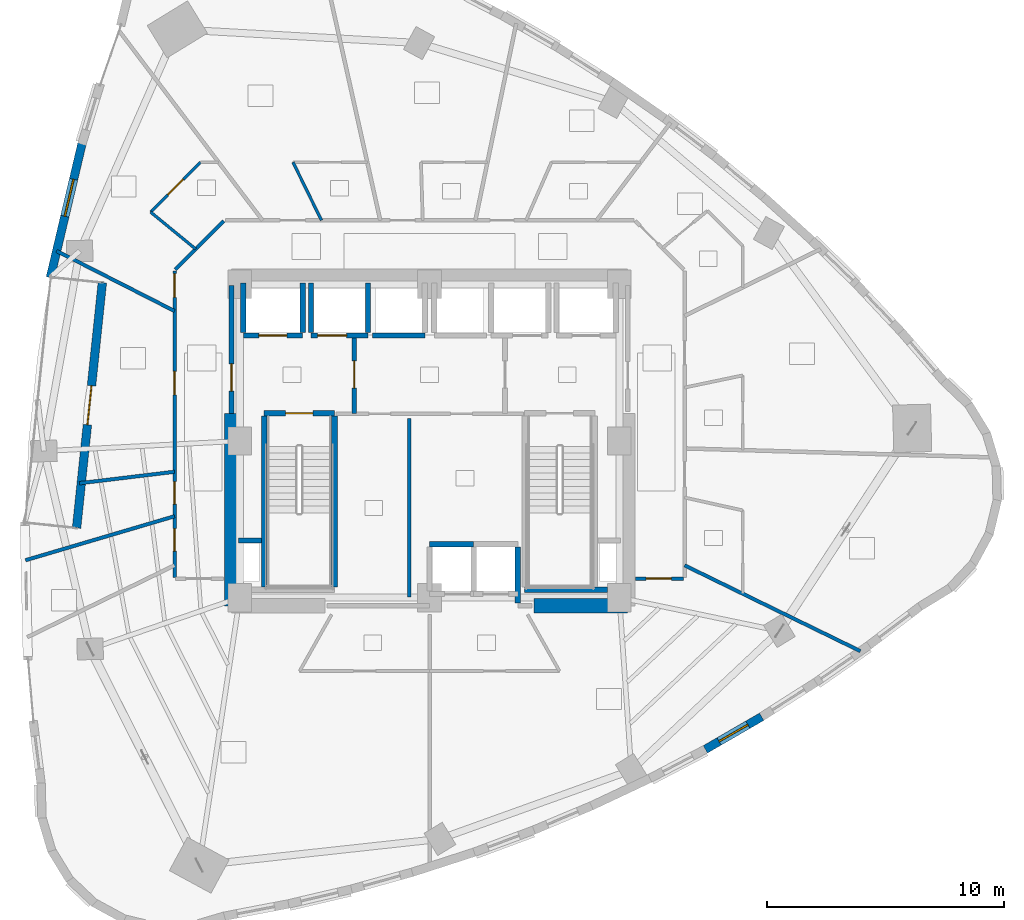
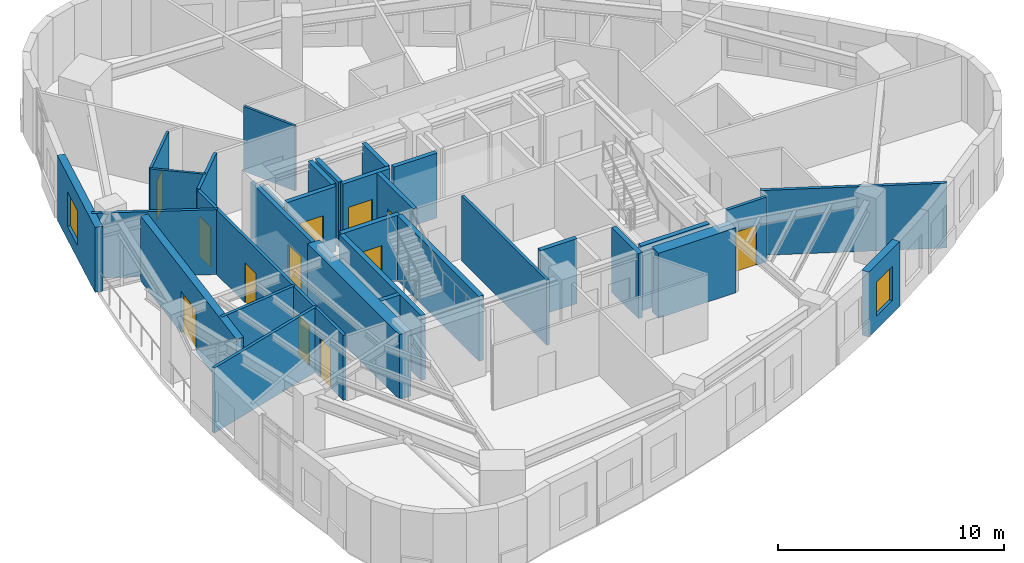
# One storey, part 10 of 16: 32 walls, 12 doors, 2 windows, 14 openings.
"""IFC4 building model written with IfcOpenShell, lengths in metres."""

from ifc_helpers import new_model, si_unit, direction, frame, frame_2d, origin, place, context, subcontext, project, spatial, rectangle, extrude, material, layer, layer_set, type_object, element, fill, save


model = new_model("IFC4")

# Units and contexts
model_context = context("Model", 3, precision=1e-05, world=origin(), true_north=direction((0.0, 1.0)))
body_context = subcontext(model_context, "Body", "Model", "MODEL_VIEW")
ifc_project = project(units=[si_unit("LENGTHUNIT", "METRE"), si_unit("AREAUNIT", "SQUARE_METRE"), si_unit("VOLUMEUNIT", "CUBIC_METRE"), si_unit("PLANEANGLEUNIT", "RADIAN"), si_unit("MASSUNIT", "GRAM", prefix="KILO")], contexts=[model_context])

# Site, building, storey
site_placement = place(None, origin())
site = spatial("IfcSite", under=ifc_project, at=site_placement, CompositionType="ELEMENT")
building_placement = place(site_placement, origin())
building = spatial("IfcBuilding", under=site, at=building_placement, Name="Ndelora Gate Hotel", CompositionType="ELEMENT")
storey_placement = place(building_placement, frame((0.0, 0.0, 97.25)))
storey = spatial("IfcBuildingStorey", under=building, at=storey_placement, Name="L23", CompositionType="ELEMENT", Elevation=97.25)

# Wall, opening, door
ifc_material_1 = material(Name="Clay Brick Masonry", Category="masonry")
ifc_layer_1 = layer(ifc_material_1, 0.360107421875)
ifc_layer_set_1 = layer_set([ifc_layer_1], Name="Clay Brick Masonry")
wall_type_1 = type_object("IfcWallType", Name="WL-BRICK-360", PredefinedType="SOLIDWALL", material=ifc_layer_set_1)
wall_1_placement = place(storey_placement, frame((-14.880126953125, -3.664794921875, 0.0), z_axis=(0.0, 0.0, 1.0), x_axis=(0.104508820017, 0.994523959761, 0.0)))
wall_1 = element("IfcWall", 1, at=wall_1_placement, inside=storey, type_object=wall_type_1, Name="L23 Sky-Garden Loggia Rear Brick Wall", PredefinedType="SOLIDWALL", context=body_context, shape_type="SweptSolid", body=[
    extrude(rectangle(XDim=10.400146484375, YDim=0.360107421875, at=frame_2d((5.2001953125, 0.0))), origin(), (0.0, 0.0, 1.0), 3.5),
])
opening_1_placement = place(wall_1_placement, frame((4.375, 0.0, 0.0)))
opening_1 = element("IfcOpeningElement", 2, at=opening_1_placement, cuts=wall_1, Name="Opening TD1", PredefinedType="OPENING", context=body_context, shape_type="SweptSolid", body=[
    extrude(rectangle(XDim=1.64990234375, YDim=2.25, at=frame_2d((0.824951171875, 1.125))), frame((0.0, 0.18994140625, 0.0), z_axis=(0.0, -1.0, 0.0), x_axis=(1.0, 0.0, 0.0)), (0.0, 0.0, 1.0), 0.380126953125),
])
ifc_material_2 = material(Name="Architectural Bronze Glazed Door", Category="metal")
door_type_1 = type_object("IfcDoorType", Name="DR-TER-1650", OperationType="DOUBLE_DOOR_SINGLE_SWING", PredefinedType="DOOR", material=ifc_material_2)
door_1_placement = place(opening_1_placement, origin())
door_1 = element("IfcDoor", 3, at=door_1_placement, inside=storey, type_object=door_type_1, Name="L23 Sky-Garden Terrace Double Door TD1", OperationType="DOUBLE_DOOR_SINGLE_SWING", OverallHeight=2.25, OverallWidth=1.64990234375, PredefinedType="DOOR", context=body_context, shape_type="SweptSolid", body=[
    extrude(rectangle(XDim=1.64990234375, YDim=2.25, at=frame_2d((0.824951171875, 1.125))), frame((0.0, 0.02490234375, 0.0), z_axis=(0.0, -1.0, 0.0), x_axis=(1.0, 0.0, 0.0)), (0.0, 0.0, 1.0), 0.050048828125),
])
fill(opening_1, door_1)

# Wall, opening, window
wall_2_placement = place(storey_placement, frame((-15.98681640625, 6.884033203125, 0.0), z_axis=(0.0, 0.0, 1.0), x_axis=(0.229945366281, 0.973203539105, 0.0)))
wall_2 = element("IfcWall", 4, at=wall_2_placement, inside=storey, type_object=wall_type_1, Name="L23 Tower Brick Pier-and-Spandrel Wall TWR-11", PredefinedType="SOLIDWALL", context=body_context, shape_type="SweptSolid", body=[
    extrude(rectangle(XDim=5.826904296875, YDim=0.360107421875, at=frame_2d((2.91357421875, 0.0))), origin(), (0.0, 0.0, 1.0), 3.5),
])
opening_2_placement = place(wall_2_placement, frame((2.659912109375, 0.0, 0.719970703125)))
opening_2 = element("IfcOpeningElement", 5, at=opening_2_placement, cuts=wall_2, Name="Opening W01", PredefinedType="OPENING", context=body_context, shape_type="SweptSolid", body=[
    extrude(rectangle(XDim=1.60009765625, YDim=1.8798828125, at=frame_2d((0.800048828125, 0.93994140625))), frame((0.0, 0.18994140625, 0.0), z_axis=(0.0, -1.0, 0.0), x_axis=(1.0, 0.0, 0.0)), (0.0, 0.0, 1.0), 0.380126953125),
])
ifc_material_3 = material(Name="Insulated Low-E Double Glazing in Bronze Aluminium Frame", Category="aluminium")
window_type_1 = type_object("IfcWindowType", Name="WN-DEEP-1600", PartitioningType="SINGLE_PANEL", PredefinedType="WINDOW", material=ifc_material_3)
window_1_placement = place(opening_2_placement, origin())
window_1 = element("IfcWindow", 6, at=window_1_placement, inside=storey, type_object=window_type_1, Name="L23 Deep-Set Brick-Pier Window W01", OverallHeight=1.8798828125, OverallWidth=1.60009765625, PartitioningType="SINGLE_PANEL", PredefinedType="WINDOW", context=body_context, shape_type="SweptSolid", body=[
    extrude(rectangle(XDim=1.60009765625, YDim=1.8798828125, at=frame_2d((0.800048828125, 0.93994140625))), frame((0.0, 0.030029296875, 0.0), z_axis=(0.0, -1.0, 0.0), x_axis=(1.0, 0.0, 0.0)), (0.0, 0.0, 1.0), 0.06005859375),
])
fill(opening_2, window_1)

wall_3_placement = place(storey_placement, frame((14.00048828125, -11.62548828125, 0.0), z_axis=(0.0, 0.0, 1.0), x_axis=(-0.86542019342, -0.501046793044, 0.0)))
wall_3 = element("IfcWall", 7, at=wall_3_placement, inside=storey, type_object=wall_type_1, Name="L23 Tower Brick Pier-and-Spandrel Wall TWR-35", PredefinedType="SOLIDWALL", context=body_context, shape_type="SweptSolid", body=[
    extrude(rectangle(XDim=2.74365234375, YDim=0.360107421875, at=frame_2d((1.371826171875, 0.0))), origin(), (0.0, 0.0, 1.0), 3.5),
])
opening_3_placement = place(wall_3_placement, frame((0.672119140625, 0.0, 0.719970703125)))
opening_3 = element("IfcOpeningElement", 8, at=opening_3_placement, cuts=wall_3, Name="Opening W02", PredefinedType="OPENING", context=body_context, shape_type="SweptSolid", body=[
    extrude(rectangle(XDim=1.39990234375, YDim=1.840087890625, at=frame_2d((0.699951171875, 0.919921875))), frame((0.0, 0.18994140625, 0.0), z_axis=(0.0, -1.0, 0.0), x_axis=(1.0, 0.0, 0.0)), (0.0, 0.0, 1.0), 0.380126953125),
])
window_type_2 = type_object("IfcWindowType", Name="WN-DEEP-1400", PartitioningType="SINGLE_PANEL", PredefinedType="WINDOW", material=ifc_material_3)
window_2_placement = place(opening_3_placement, origin())
window_2 = element("IfcWindow", 9, at=window_2_placement, inside=storey, type_object=window_type_2, Name="L23 Deep-Set Brick-Pier Window W02", OverallHeight=1.840087890625, OverallWidth=1.39990234375, PartitioningType="SINGLE_PANEL", PredefinedType="WINDOW", context=body_context, shape_type="SweptSolid", body=[
    extrude(rectangle(XDim=1.39990234375, YDim=1.840087890625, at=frame_2d((0.699951171875, 0.919921875))), frame((0.0, 0.030029296875, 0.0), z_axis=(0.0, -1.0, 0.0), x_axis=(1.0, 0.0, 0.0)), (0.0, 0.0, 1.0), 0.06005859375),
])
fill(opening_3, window_2)

# Walls
ifc_material_4 = material(Name="Concrete C60/75", Category="concrete")
ifc_layer_2 = layer(ifc_material_4, 0.60009765625)
ifc_layer_set_2 = layer_set([ifc_layer_2], Name="Concrete C60/75")
wall_type_2 = type_object("IfcWallType", Name="WL-CORE-600", PredefinedType="SHEAR", material=ifc_layer_set_2)
wall_4_placement = place(storey_placement, frame((4.39990234375, -6.949951171875, 0.0), z_axis=(0.0, 0.0, 1.0), x_axis=(1.0, 0.0, 0.0)))
element("IfcWall", 10, at=wall_4_placement, inside=storey, type_object=wall_type_2, Name="L23 Core Shear Wall S-E", PredefinedType="SHEAR", context=body_context, shape_type="SweptSolid", body=[
    extrude(rectangle(XDim=3.9501953125, YDim=0.60009765625, at=frame_2d((1.97509765625, 0.0))), origin(), (0.0, 0.0, 1.0), 3.5),
])
wall_5_placement = place(storey_placement, frame((-8.35009765625, -6.949951171875, 0.0), z_axis=(0.0, 0.0, 1.0), x_axis=(0.0, 1.0, 0.0)))
element("IfcWall", 11, at=wall_5_placement, inside=storey, type_object=wall_type_2, Name="L23 Core Shear Wall W", PredefinedType="SHEAR", context=body_context, shape_type="SweptSolid", body=[
    extrude(rectangle(XDim=8.099853515625, YDim=0.60009765625, at=frame_2d((4.0498046875, 0.0))), origin(), (0.0, 0.0, 1.0), 3.5),
])

# Wall, opening, door
ifc_material_5 = material(Name="Concrete C40/50", Category="concrete")
ifc_layer_3 = layer(ifc_material_5, 0.199951171875)
ifc_layer_set_3 = layer_set([ifc_layer_3], Name="Concrete C40/50")
wall_type_3 = type_object("IfcWallType", Name="WL-FIRE-200", PredefinedType="PARTITIONING", material=ifc_layer_set_3)
wall_6_placement = place(storey_placement, frame((-3.179931640625, 1.14990234375, 0.0), z_axis=(0.0, 0.0, 1.0), x_axis=(0.0, 1.0, 0.0)))
wall_6 = element("IfcWall", 12, at=wall_6_placement, inside=storey, type_object=wall_type_3, Name="L23 Interior Wall IW-2", PredefinedType="PARTITIONING", context=body_context, shape_type="SweptSolid", body=[
    extrude(rectangle(XDim=3.300048828125, YDim=0.199951171875, at=frame_2d((1.64990234375, 0.0))), origin(), (0.0, 0.0, 1.0), 3.5),
])
opening_4_placement = place(wall_6_placement, frame((1.080078125, 0.0, 0.0)))
opening_4 = element("IfcOpeningElement", 13, at=opening_4_placement, cuts=wall_6, Name="Opening FD1", PredefinedType="OPENING", context=body_context, shape_type="SweptSolid", body=[
    extrude(rectangle(XDim=1.14990234375, YDim=2.14990234375, at=frame_2d((0.574951171875, 1.074951171875))), frame((0.0, 0.10986328125, 0.0), z_axis=(0.0, -1.0, 0.0), x_axis=(1.0, 0.0, 0.0)), (0.0, 0.0, 1.0), 0.219970703125),
])
ifc_material_6 = material(Name="Fire-Rated Timber-Veneer Steel Core", Category="steel")
door_type_2 = type_object("IfcDoorType", Name="DR-FD60", OperationType="SINGLE_SWING_LEFT", PredefinedType="DOOR", material=ifc_material_6)
door_2_placement = place(opening_4_placement, origin())
door_2 = element("IfcDoor", 14, at=door_2_placement, inside=storey, type_object=door_type_2, Name="L23 Firefighting Lobby West Door", OperationType="SINGLE_SWING_RIGHT", OverallHeight=2.14990234375, OverallWidth=1.14990234375, PredefinedType="DOOR", context=body_context, shape_type="SweptSolid", body=[
    extrude(rectangle(XDim=1.14990234375, YDim=2.14990234375, at=frame_2d((0.574951171875, 1.074951171875))), frame((0.0, 0.02490234375, 0.0), z_axis=(0.0, -1.0, 0.0), x_axis=(1.0, 0.0, 0.0)), (0.0, 0.0, 1.0), 0.050048828125),
])
fill(opening_4, door_2)

wall_7_placement = place(storey_placement, frame((-8.35009765625, 1.14990234375, 0.0), z_axis=(0.0, 0.0, 1.0), x_axis=(0.0, 1.0, 0.0)))
wall_7 = element("IfcWall", 15, at=wall_7_placement, inside=storey, type_object=wall_type_3, Name="L23 Interior Wall IW-2", PredefinedType="PARTITIONING", context=body_context, shape_type="SweptSolid", body=[
    extrude(rectangle(XDim=5.400146484375, YDim=0.199951171875, at=frame_2d((2.7001953125, 0.0))), origin(), (0.0, 0.0, 1.0), 3.5),
])
opening_5_placement = place(wall_7_placement, frame((0.949951171875, 0.0, 0.0)))
opening_5 = element("IfcOpeningElement", 16, at=opening_5_placement, cuts=wall_7, Name="Opening FD1", PredefinedType="OPENING", context=body_context, shape_type="SweptSolid", body=[
    extrude(rectangle(XDim=1.14990234375, YDim=2.14990234375, at=frame_2d((0.574951171875, 1.074951171875))), frame((0.0, 0.10986328125, 0.0), z_axis=(0.0, -1.0, 0.0), x_axis=(1.0, 0.0, 0.0)), (0.0, 0.0, 1.0), 0.219970703125),
])
door_3_placement = place(opening_5_placement, origin())
door_3 = element("IfcDoor", 17, at=door_3_placement, inside=storey, type_object=door_type_2, Name="L23 Firefighting Lobby West Corridor Door", OperationType="SINGLE_SWING_LEFT", OverallHeight=2.14990234375, OverallWidth=1.14990234375, PredefinedType="DOOR", context=body_context, shape_type="SweptSolid", body=[
    extrude(rectangle(XDim=1.14990234375, YDim=2.14990234375, at=frame_2d((0.574951171875, 1.074951171875))), frame((0.0, 0.02490234375, 0.0), z_axis=(0.0, -1.0, 0.0), x_axis=(1.0, 0.0, 0.0)), (0.0, 0.0, 1.0), 0.050048828125),
])
fill(opening_5, door_3)

# Wall
ifc_material_7 = material(Name="Fire-Rated Gypsum Stud Partition", Category="gypsum")
ifc_layer_4 = layer(ifc_material_7, 0.14990234375)
ifc_layer_set_4 = layer_set([ifc_layer_4], Name="Fire-Rated Gypsum Stud Partition")
wall_type_4 = type_object("IfcWallType", Name="WL-PART-150", PredefinedType="PARTITIONING", material=ifc_layer_set_4)
wall_8_placement = place(storey_placement, frame((-0.85009765625, -6.580078125, 0.0), z_axis=(0.0, 0.0, 1.0), x_axis=(0.0, 1.0, 0.0)))
element("IfcWall", 18, at=wall_8_placement, inside=storey, type_object=wall_type_4, Name="L23 Interior Wall IW-5", PredefinedType="PARTITIONING", context=body_context, shape_type="SweptSolid", body=[
    extrude(rectangle(XDim=7.530029296875, YDim=0.14990234375, at=frame_2d((3.76513671875, 0.0))), origin(), (0.0, 0.0, 1.0), 3.5),
])

# Wall, opening, door
wall_9_placement = place(storey_placement, frame((10.7099609375, -5.800048828125, 0.0), z_axis=(0.0, 0.0, 1.0), x_axis=(-1.0, 0.0, 0.0)))
wall_9 = element("IfcWall", 19, at=wall_9_placement, inside=storey, type_object=wall_type_4, Name="L23 Interior Wall IW-5", PredefinedType="PARTITIONING", context=body_context, shape_type="SweptSolid", body=[
    extrude(rectangle(XDim=2.02001953125, YDim=0.14990234375, at=frame_2d((1.010009765625, 0.0))), origin(), (0.0, 0.0, 1.0), 3.5),
])
opening_6_placement = place(wall_9_placement, frame((0.52001953125, 0.0, 0.0)))
opening_6 = element("IfcOpeningElement", 20, at=opening_6_placement, cuts=wall_9, Name="Opening D07", PredefinedType="OPENING", context=body_context, shape_type="SweptSolid", body=[
    extrude(rectangle(XDim=1.06005859375, YDim=2.14990234375, at=frame_2d((0.530029296875, 1.074951171875))), frame((0.0, 0.0849609375, 0.0), z_axis=(0.0, -1.0, 0.0), x_axis=(1.0, 0.0, 0.0)), (0.0, 0.0, 1.0), 0.169921875),
])
ifc_material_8 = material(Name="Diplomatic Suite Acoustic Entrance Door", Category="wood")
door_type_3 = type_object("IfcDoorType", Name="DR-SUITE-1060", OperationType="SINGLE_SWING_LEFT", PredefinedType="DOOR", material=ifc_material_8)
door_4_placement = place(opening_6_placement, origin())
door_4 = element("IfcDoor", 21, at=door_4_placement, inside=storey, type_object=door_type_3, Name="L23 Club Twin Corner Suite 2602 Entrance Door", OperationType="SINGLE_SWING_RIGHT", OverallHeight=2.14990234375, OverallWidth=1.06005859375, PredefinedType="DOOR", context=body_context, shape_type="SweptSolid", body=[
    extrude(rectangle(XDim=1.06005859375, YDim=2.14990234375, at=frame_2d((0.530029296875, 1.074951171875))), frame((0.0, 0.02490234375, 0.0), z_axis=(0.0, -1.0, 0.0), x_axis=(1.0, 0.0, 0.0)), (0.0, 0.0, 1.0), 0.050048828125),
])
fill(opening_6, door_4)

# Wall
wall_10_placement = place(storey_placement, frame((-10.7216796875, 7.228271484375, 0.0), z_axis=(0.0, 0.0, 1.0), x_axis=(0.707106781187, 0.707106781187, 0.0)))
element("IfcWall", 22, at=wall_10_placement, inside=storey, type_object=wall_type_4, Name="L23 Interior Wall IW-5", PredefinedType="PARTITIONING", context=body_context, shape_type="SweptSolid", body=[
    extrude(rectangle(XDim=2.889892578125, YDim=0.14990234375, at=frame_2d((1.44482421875, 0.0))), origin(), (0.0, 0.0, 1.0), 3.5),
])

# Wall, openings, doors
wall_11_placement = place(storey_placement, frame((-10.75, -5.760009765625, 0.0), z_axis=(0.0, 0.0, 1.0), x_axis=(0.0, 1.0, 0.0)))
wall_11 = element("IfcWall", 23, at=wall_11_placement, inside=storey, type_object=wall_type_4, Name="L23 Interior Wall IW-5", PredefinedType="PARTITIONING", context=body_context, shape_type="SweptSolid", body=[
    extrude(rectangle(XDim=12.919921875, YDim=0.14990234375, at=frame_2d((6.4599609375, 0.0))), origin(), (0.0, 0.0, 1.0), 3.5),
])
opening_7_placement = place(wall_11_placement, frame((3.096435546875, 0.0, 0.0)))
opening_7 = element("IfcOpeningElement", 24, at=opening_7_placement, cuts=wall_11, Name="Opening D05", PredefinedType="OPENING", context=body_context, shape_type="SweptSolid", body=[
    extrude(rectangle(XDim=0.949951171875, YDim=2.10009765625, at=frame_2d((0.47509765625, 1.050048828125))), frame((0.0, 0.0849609375, 0.0), z_axis=(0.0, -1.0, 0.0), x_axis=(1.0, 0.0, 0.0)), (0.0, 0.0, 1.0), 0.169921875),
])
opening_8_placement = place(wall_11_placement, frame((1.1181640625, 0.0, 0.0)))
opening_8 = element("IfcOpeningElement", 25, at=opening_8_placement, cuts=wall_11, Name="Opening D05", PredefinedType="OPENING", context=body_context, shape_type="SweptSolid", body=[
    extrude(rectangle(XDim=0.949951171875, YDim=2.10009765625, at=frame_2d((0.47509765625, 1.050048828125))), frame((0.0, 0.0849609375, 0.0), z_axis=(0.0, -1.0, 0.0), x_axis=(1.0, 0.0, 0.0)), (0.0, 0.0, 1.0), 0.169921875),
])
opening_9_placement = place(wall_11_placement, frame((7.69921875, 0.0, 0.0)))
opening_9 = element("IfcOpeningElement", 26, at=opening_9_placement, cuts=wall_11, Name="Opening D01", PredefinedType="OPENING", context=body_context, shape_type="SweptSolid", body=[
    extrude(rectangle(XDim=1.0, YDim=2.14990234375, at=frame_2d((0.5, 1.074951171875))), frame((0.0, 0.0849609375, 0.0), z_axis=(0.0, -1.0, 0.0), x_axis=(1.0, 0.0, 0.0)), (0.0, 0.0, 1.0), 0.169921875),
])
opening_10_placement = place(wall_11_placement, frame((11.818603515625, 0.0, 0.0)))
opening_10 = element("IfcOpeningElement", 27, at=opening_10_placement, cuts=wall_11, Name="Opening D01", PredefinedType="OPENING", context=body_context, shape_type="SweptSolid", body=[
    extrude(rectangle(XDim=1.0, YDim=2.14990234375, at=frame_2d((0.5, 1.074951171875))), frame((0.0, 0.0849609375, 0.0), z_axis=(0.0, -1.0, 0.0), x_axis=(1.0, 0.0, 0.0)), (0.0, 0.0, 1.0), 0.169921875),
])
ifc_material_9 = material(Name="Accessible Restroom Wide-Clearance Door", Category="wood")
door_type_4 = type_object("IfcDoorType", Name="DR-ACC-950", OperationType="SINGLE_SWING_LEFT", PredefinedType="DOOR", material=ifc_material_9)
door_5_placement = place(opening_7_placement, origin())
door_5 = element("IfcDoor", 28, at=door_5_placement, inside=storey, type_object=door_type_4, Name="L23 Accessible WC Entrance Door", OperationType="SINGLE_SWING_RIGHT", OverallHeight=2.10009765625, OverallWidth=0.949951171875, PredefinedType="DOOR", context=body_context, shape_type="SweptSolid", body=[
    extrude(rectangle(XDim=0.949951171875, YDim=2.10009765625, at=frame_2d((0.47509765625, 1.050048828125))), frame((0.0, 0.02490234375, 0.0), z_axis=(0.0, -1.0, 0.0), x_axis=(1.0, 0.0, 0.0)), (0.0, 0.0, 1.0), 0.050048828125),
])
fill(opening_7, door_5)
door_6_placement = place(opening_8_placement, origin())
door_6 = element("IfcDoor", 29, at=door_6_placement, inside=storey, type_object=door_type_4, Name="L23 Female Public Restroom Entrance Door", OperationType="SINGLE_SWING_LEFT", OverallHeight=2.10009765625, OverallWidth=0.949951171875, PredefinedType="DOOR", context=body_context, shape_type="SweptSolid", body=[
    extrude(rectangle(XDim=0.949951171875, YDim=2.10009765625, at=frame_2d((0.47509765625, 1.050048828125))), frame((0.0, 0.02490234375, 0.0), z_axis=(0.0, -1.0, 0.0), x_axis=(1.0, 0.0, 0.0)), (0.0, 0.0, 1.0), 0.050048828125),
])
fill(opening_8, door_6)
ifc_material_10 = material(Name="Acoustic Hardwood Guest Entrance Door", Category="wood")
door_type_5 = type_object("IfcDoorType", Name="DR-COR-1000", OperationType="SINGLE_SWING_LEFT", PredefinedType="DOOR", material=ifc_material_10)
door_7_placement = place(opening_9_placement, origin())
door_7 = element("IfcDoor", 30, at=door_7_placement, inside=storey, type_object=door_type_5, Name="L23 Sky Garden Tea Dining Room Entrance Door", OperationType="SINGLE_SWING_LEFT", OverallHeight=2.14990234375, OverallWidth=1.0, PredefinedType="DOOR", context=body_context, shape_type="SweptSolid", body=[
    extrude(rectangle(XDim=1.0, YDim=2.14990234375, at=frame_2d((0.5, 1.074951171875))), frame((0.0, 0.02490234375, 0.0), z_axis=(0.0, -1.0, 0.0), x_axis=(1.0, 0.0, 0.0)), (0.0, 0.0, 1.0), 0.050048828125),
])
fill(opening_9, door_7)
door_8_placement = place(opening_10_placement, origin())
door_8 = element("IfcDoor", 31, at=door_8_placement, inside=storey, type_object=door_type_5, Name="L23 Club King Guest Room 2609 Entrance Door", OperationType="SINGLE_SWING_LEFT", OverallHeight=2.14990234375, OverallWidth=1.0, PredefinedType="DOOR", context=body_context, shape_type="SweptSolid", body=[
    extrude(rectangle(XDim=1.0, YDim=2.14990234375, at=frame_2d((0.5, 1.074951171875))), frame((0.0, 0.02490234375, 0.0), z_axis=(0.0, -1.0, 0.0), x_axis=(1.0, 0.0, 0.0)), (0.0, 0.0, 1.0), 0.050048828125),
])
fill(opening_10, door_8)

# Walls
wall_12_placement = place(storey_placement, frame((10.75, -5.2431640625, 0.0), z_axis=(0.0, 0.0, 1.0), x_axis=(0.898792044872, -0.4383752503, 0.0)))
element("IfcWall", 32, at=wall_12_placement, inside=storey, type_object=wall_type_4, Name="L23 Interior Wall IW-5", PredefinedType="PARTITIONING", context=body_context, shape_type="SweptSolid", body=[
    extrude(rectangle(XDim=8.251953125, YDim=0.14990234375, at=frame_2d((4.1259765625, 0.0))), origin(), (0.0, 0.0, 1.0), 3.5),
])
wall_13_placement = place(storey_placement, frame((-10.75, 5.478271484375, 0.0), z_axis=(0.0, 0.0, 1.0), x_axis=(-0.890978705021, 0.454045093796, 0.0)))
element("IfcWall", 33, at=wall_13_placement, inside=storey, type_object=wall_type_4, Name="L23 Interior Wall IW-5", PredefinedType="PARTITIONING", context=body_context, shape_type="SweptSolid", body=[
    extrude(rectangle(XDim=5.57861328125, YDim=0.14990234375, at=frame_2d((2.789306640625, 0.0))), origin(), (0.0, 0.0, 1.0), 3.5),
])
wall_14_placement = place(storey_placement, frame((-10.75, -1.2978515625, 0.0), z_axis=(0.0, 0.0, 1.0), x_axis=(-0.992792513818, -0.119845836422, 0.0)))
element("IfcWall", 34, at=wall_14_placement, inside=storey, type_object=wall_type_4, Name="L23 Interior Wall IW-5", PredefinedType="PARTITIONING", context=body_context, shape_type="SweptSolid", body=[
    extrude(rectangle(XDim=4.03955078125, YDim=0.14990234375, at=frame_2d((2.019775390625, 0.0))), origin(), (0.0, 0.0, 1.0), 3.5),
])
wall_15_placement = place(storey_placement, frame((-10.75, -3.172607421875, 0.0), z_axis=(0.0, 0.0, 1.0), x_axis=(-0.959115252186, -0.283015782288, 0.0)))
element("IfcWall", 35, at=wall_15_placement, inside=storey, type_object=wall_type_4, Name="L23 Interior Wall IW-5", PredefinedType="PARTITIONING", context=body_context, shape_type="SweptSolid", body=[
    extrude(rectangle(XDim=6.550048828125, YDim=0.14990234375, at=frame_2d((3.27490234375, 0.0))), origin(), (0.0, 0.0, 1.0), 3.5),
])
ifc_layer_5 = layer(ifc_material_5, 0.219970703125)
ifc_layer_set_5 = layer_set([ifc_layer_5], Name="Concrete C40/50")
wall_type_5 = type_object("IfcWallType", Name="WL-SHAFT-220", PredefinedType="PARTITIONING", material=ifc_layer_set_5)
wall_16_placement = place(storey_placement, frame((-8.050048828125, -4.199951171875, 0.0), z_axis=(0.0, 0.0, 1.0), x_axis=(1.0, 0.0, 0.0)))
element("IfcWall", 36, at=wall_16_placement, inside=storey, type_object=wall_type_5, Name="L23 Interior Wall IW-1", PredefinedType="PARTITIONING", context=body_context, shape_type="SweptSolid", body=[
    extrude(rectangle(XDim=0.9599609375, YDim=0.219970703125, at=frame_2d((0.47998046875, 0.0))), origin(), (0.0, 0.0, 1.0), 3.5),
])

# Wall, opening, door
wall_17_placement = place(storey_placement, frame((-7.85009765625, 4.449951171875, 0.0), z_axis=(0.0, 0.0, 1.0), x_axis=(1.0, 0.0, 0.0)))
wall_17 = element("IfcWall", 37, at=wall_17_placement, inside=storey, type_object=wall_type_5, Name="L23 Interior Wall IW-1", PredefinedType="PARTITIONING", context=body_context, shape_type="SweptSolid", body=[
    extrude(rectangle(XDim=2.5, YDim=0.219970703125, at=frame_2d((1.25, 0.0))), origin(), (0.0, 0.0, 1.0), 3.5),
])
opening_11_placement = place(wall_17_placement, frame((0.659912109375, 0.0, 0.0)))
opening_11 = element("IfcOpeningElement", 38, at=opening_11_placement, cuts=wall_17, Name="Opening LD5", PredefinedType="OPENING", context=body_context, shape_type="SweptSolid", body=[
    extrude(rectangle(XDim=1.179931640625, YDim=2.14990234375, at=frame_2d((0.58984375, 1.074951171875))), frame((0.0, 0.1201171875, 0.0), z_axis=(0.0, -1.0, 0.0), x_axis=(1.0, 0.0, 0.0)), (0.0, 0.0, 1.0), 0.239990234375),
])
ifc_material_11 = material(Name="Firefighting Lift Stainless Sliding Landing Door", Category="metal")
door_type_6 = type_object("IfcDoorType", Name="DR-LD5", OperationType="DOUBLE_DOOR_SLIDING", PredefinedType="DOOR", material=ifc_material_11)
door_9_placement = place(opening_11_placement, origin())
door_9 = element("IfcDoor", 39, at=door_9_placement, inside=storey, type_object=door_type_6, Name="L23 Lift Landing Sliding Door FFL1", OperationType="DOUBLE_DOOR_SLIDING", OverallHeight=2.14990234375, OverallWidth=1.179931640625, PredefinedType="DOOR", context=body_context, shape_type="SweptSolid", body=[
    extrude(rectangle(XDim=1.179931640625, YDim=2.14990234375, at=frame_2d((0.58984375, 1.074951171875))), frame((0.0, 0.02490234375, 0.0), z_axis=(0.0, -1.0, 0.0), x_axis=(1.0, 0.0, 0.0)), (0.0, 0.0, 1.0), 0.050048828125),
])
fill(opening_11, door_9)

# Walls
wall_18_placement = place(storey_placement, frame((-7.85009765625, 4.570068359375, 0.0), z_axis=(0.0, 0.0, 1.0), x_axis=(0.0, 1.0, 0.0)))
element("IfcWall", 40, at=wall_18_placement, inside=storey, type_object=wall_type_5, Name="L23 Interior Wall IW-1", PredefinedType="PARTITIONING", context=body_context, shape_type="SweptSolid", body=[
    extrude(rectangle(XDim=2.079833984375, YDim=0.219970703125, at=frame_2d((1.0400390625, 0.0))), origin(), (0.0, 0.0, 1.0), 3.1201171875),
])
wall_19_placement = place(storey_placement, frame((-5.35009765625, 4.570068359375, 0.0), z_axis=(0.0, 0.0, 1.0), x_axis=(0.0, 1.0, 0.0)))
element("IfcWall", 41, at=wall_19_placement, inside=storey, type_object=wall_type_5, Name="L23 Interior Wall IW-1", PredefinedType="PARTITIONING", context=body_context, shape_type="SweptSolid", body=[
    extrude(rectangle(XDim=2.079833984375, YDim=0.219970703125, at=frame_2d((1.0400390625, 0.0))), origin(), (0.0, 0.0, 1.0), 3.5),
])

# Wall, opening, door
wall_20_placement = place(storey_placement, frame((-5.0, 4.449951171875, 0.0), z_axis=(0.0, 0.0, 1.0), x_axis=(1.0, 0.0, 0.0)))
wall_20 = element("IfcWall", 42, at=wall_20_placement, inside=storey, type_object=wall_type_5, Name="L23 Interior Wall IW-1", PredefinedType="PARTITIONING", context=body_context, shape_type="SweptSolid", body=[
    extrude(rectangle(XDim=2.39990234375, YDim=0.219970703125, at=frame_2d((1.199951171875, 0.0))), origin(), (0.0, 0.0, 1.0), 3.5),
])
opening_12_placement = place(wall_20_placement, frame((0.280029296875, 0.0, 0.0)))
opening_12 = element("IfcOpeningElement", 43, at=opening_12_placement, cuts=wall_20, Name="Opening LD6", PredefinedType="OPENING", context=body_context, shape_type="SweptSolid", body=[
    extrude(rectangle(XDim=1.219970703125, YDim=2.14990234375, at=frame_2d((0.60986328125, 1.074951171875))), frame((0.0, 0.1201171875, 0.0), z_axis=(0.0, -1.0, 0.0), x_axis=(1.0, 0.0, 0.0)), (0.0, 0.0, 1.0), 0.239990234375),
])
ifc_material_12 = material(Name="Heavy-Duty Service Lift Sliding Landing Door", Category="wood")
door_type_7 = type_object("IfcDoorType", Name="DR-LD6", OperationType="DOUBLE_DOOR_SLIDING", PredefinedType="DOOR", material=ifc_material_12)
door_10_placement = place(opening_12_placement, origin())
door_10 = element("IfcDoor", 44, at=door_10_placement, inside=storey, type_object=door_type_7, Name="L23 Lift Landing Sliding Door SVL1", OperationType="DOUBLE_DOOR_SLIDING", OverallHeight=2.14990234375, OverallWidth=1.219970703125, PredefinedType="DOOR", context=body_context, shape_type="SweptSolid", body=[
    extrude(rectangle(XDim=1.219970703125, YDim=2.14990234375, at=frame_2d((0.60986328125, 1.074951171875))), frame((0.0, 0.02490234375, 0.0), z_axis=(0.0, -1.0, 0.0), x_axis=(1.0, 0.0, 0.0)), (0.0, 0.0, 1.0), 0.050048828125),
])
fill(opening_12, door_10)

# Walls
for number, where, z_axis, x_axis, name in (
    (45, (-5.0, 4.570068359375, 0.0), (0.0, 0.0, 1.0), (0.0, 1.0, 0.0), "L23 Interior Wall IW-1"),
    (46, (-2.60009765625, 4.570068359375, 0.0), (0.0, 0.0, 1.0), (0.0, 1.0, 0.0), "L23 Interior Wall IW-1"),
):
    element("IfcWall", number, at=place(storey_placement, frame(where, z_axis=z_axis, x_axis=x_axis)), inside=storey, type_object=wall_type_5, Name=name, PredefinedType="PARTITIONING", context=body_context, shape_type="SweptSolid", body=[
        extrude(rectangle(XDim=2.079833984375, YDim=0.219970703125, at=frame_2d((1.0400390625, 0.0))), origin(), (0.0, 0.0, 1.0), 3.5),
    ])
wall_21_placement = place(storey_placement, frame((0.0, -4.35009765625, 0.0), z_axis=(0.0, 0.0, 1.0), x_axis=(1.0, 0.0, 0.0)))
element("IfcWall", 47, at=wall_21_placement, inside=storey, type_object=wall_type_5, Name="L23 Interior Wall IW-1", PredefinedType="PARTITIONING", context=body_context, shape_type="SweptSolid", body=[
    extrude(rectangle(XDim=1.860107421875, YDim=0.219970703125, at=frame_2d((0.93017578125, 0.0))), origin(), (0.0, 0.0, 1.0), 3.5),
])
wall_22_placement = place(storey_placement, frame((3.719970703125, -6.830078125, 0.0), z_axis=(0.0, 0.0, 1.0), x_axis=(0.0, 1.0, 0.0)))
element("IfcWall", 48, at=wall_22_placement, inside=storey, type_object=wall_type_5, Name="L23 Interior Wall IW-1", PredefinedType="PARTITIONING", context=body_context, shape_type="SweptSolid", body=[
    extrude(rectangle(XDim=2.360107421875, YDim=0.219970703125, at=frame_2d((1.18017578125, 0.0))), origin(), (0.0, 0.0, 1.0), 3.5),
])
wall_23_placement = place(storey_placement, frame((-2.39990234375, 4.449951171875, 0.0), z_axis=(0.0, 0.0, 1.0), x_axis=(1.0, 0.0, 0.0)))
element("IfcWall", 49, at=wall_23_placement, inside=storey, type_object=wall_type_5, Name="L23 Interior Wall IW-1", PredefinedType="PARTITIONING", context=body_context, shape_type="SweptSolid", body=[
    extrude(rectangle(XDim=2.199951171875, YDim=0.219970703125, at=frame_2d((1.10009765625, 0.0))), origin(), (0.0, 0.0, 1.0), 3.5),
])
ifc_material_13 = material(Name="Concrete C50/60", Category="concrete")
ifc_layer_6 = layer(ifc_material_13, 0.239990234375)
ifc_layer_set_6 = layer_set([ifc_layer_6], Name="Concrete C50/60")
wall_type_6 = type_object("IfcWallType", Name="WL-STAIR-240", PredefinedType="SHEAR", material=ifc_layer_set_6)
for number, where, z_axis, x_axis, name in (
    (50, (-6.969970703125, -6.159912109375, 0.0), (0.0, 0.0, 1.0), (0.0, 1.0, 0.0), "L23 Stair Core Shear Wall SW-ST"),
    (51, (-4.010009765625, -6.159912109375, 0.0), (0.0, 0.0, 1.0), (0.0, 1.0, 0.0), "L23 Stair Core Shear Wall SW-ST"),
):
    element("IfcWall", number, at=place(storey_placement, frame(where, z_axis=z_axis, x_axis=x_axis)), inside=storey, type_object=wall_type_6, Name=name, PredefinedType="SHEAR", context=body_context, shape_type="SweptSolid", body=[
        extrude(rectangle(XDim=7.219970703125, YDim=0.239990234375, at=frame_2d((3.60986328125, 0.0))), origin(), (0.0, 0.0, 1.0), 3.5),
    ])

# Wall, opening, door
wall_24_placement = place(storey_placement, frame((-6.969970703125, 1.169921875, 0.0), z_axis=(0.0, 0.0, 1.0), x_axis=(1.0, 0.0, 0.0)))
wall_24 = element("IfcWall", 52, at=wall_24_placement, inside=storey, type_object=wall_type_6, Name="L23 Stair Core Shear Wall SW-ST", PredefinedType="SHEAR", context=body_context, shape_type="SweptSolid", body=[
    extrude(rectangle(XDim=2.9599609375, YDim=0.239990234375, at=frame_2d((1.47998046875, 0.0))), origin(), (0.0, 0.0, 1.0), 3.5),
])
opening_13_placement = place(wall_24_placement, frame((0.89990234375, 0.0, 0.0)))
opening_13 = element("IfcOpeningElement", 53, at=opening_13_placement, cuts=wall_24, Name="Opening FD1", PredefinedType="OPENING", context=body_context, shape_type="SweptSolid", body=[
    extrude(rectangle(XDim=1.14990234375, YDim=2.14990234375, at=frame_2d((0.574951171875, 1.074951171875))), frame((0.0, 0.1298828125, 0.0), z_axis=(0.0, -1.0, 0.0), x_axis=(1.0, 0.0, 0.0)), (0.0, 0.0, 1.0), 0.260009765625),
])
door_11_placement = place(opening_13_placement, origin())
door_11 = element("IfcDoor", 54, at=door_11_placement, inside=storey, type_object=door_type_2, Name="L23 Exit Stair ST4 Door", OperationType="SINGLE_SWING_LEFT", OverallHeight=2.14990234375, OverallWidth=1.14990234375, PredefinedType="DOOR", context=body_context, shape_type="SweptSolid", body=[
    extrude(rectangle(XDim=1.14990234375, YDim=2.14990234375, at=frame_2d((0.574951171875, 1.074951171875))), frame((0.0, 0.02490234375, 0.0), z_axis=(0.0, -1.0, 0.0), x_axis=(1.0, 0.0, 0.0)), (0.0, 0.0, 1.0), 0.050048828125),
])
fill(opening_13, door_11)

# Walls
wall_25_placement = place(storey_placement, frame((4.010009765625, -6.27001953125, 0.0), z_axis=(0.0, 0.0, 1.0), x_axis=(1.0, 0.0, 0.0)))
element("IfcWall", 55, at=wall_25_placement, inside=storey, type_object=wall_type_6, Name="L23 Stair Core Shear Wall SW-ST", PredefinedType="SHEAR", context=body_context, shape_type="SweptSolid", body=[
    extrude(rectangle(XDim=3.489990234375, YDim=0.239990234375, at=frame_2d((1.7451171875, 0.0))), origin(), (0.0, 0.0, 1.0), 3.5),
])
ifc_material_14 = material(Name="Moisture-Resistant Bathroom Tile Partition", Category="gypsum")
ifc_layer_7 = layer(ifc_material_14, 0.1201171875)
ifc_layer_set_7 = layer_set([ifc_layer_7], Name="Moisture-Resistant Bathroom Tile Partition")
wall_type_7 = type_object("IfcWallType", Name="WL-WET-120", PredefinedType="PARTITIONING", material=ifc_layer_set_7)
wall_26_placement = place(storey_placement, frame((-5.756103515625, 11.75, 0.0), z_axis=(0.0, 0.0, 1.0), x_axis=(0.439932257938, -0.898030961841, 0.0)))
element("IfcWall", 56, at=wall_26_placement, inside=storey, type_object=wall_type_7, Name="L23 Interior Wall IW-7", PredefinedType="PARTITIONING", context=body_context, shape_type="SweptSolid", body=[
    extrude(rectangle(XDim=2.72802734375, YDim=0.1201171875, at=frame_2d((1.364013671875, 0.0))), origin(), (0.0, 0.0, 1.0), 3.5),
])
wall_27_placement = place(storey_placement, frame((-11.76220703125, 9.652587890625, 0.0), z_axis=(0.0, 0.0, 1.0), x_axis=(0.773019750399, -0.634381955523, 0.0)))
element("IfcWall", 57, at=wall_27_placement, inside=storey, type_object=wall_type_7, Name="L23 Interior Wall IW-7", PredefinedType="PARTITIONING", context=body_context, shape_type="SweptSolid", body=[
    extrude(rectangle(XDim=2.4619140625, YDim=0.1201171875, at=frame_2d((1.23095703125, 0.0))), origin(), (0.0, 0.0, 1.0), 3.5),
])

# Wall, opening, door
wall_28_placement = place(storey_placement, frame((-11.76220703125, 9.652587890625, 0.0), z_axis=(0.0, 0.0, 1.0), x_axis=(0.707106781187, 0.707106781187, 0.0)))
wall_28 = element("IfcWall", 58, at=wall_28_placement, inside=storey, type_object=wall_type_7, Name="L23 Interior Wall IW-7", PredefinedType="PARTITIONING", context=body_context, shape_type="SweptSolid", body=[
    extrude(rectangle(XDim=2.96630859375, YDim=0.1201171875, at=frame_2d((1.483154296875, 0.0))), origin(), (0.0, 0.0, 1.0), 3.5),
])
opening_14_placement = place(wall_28_placement, frame((1.023193359375, 0.0, 0.0)))
opening_14 = element("IfcOpeningElement", 59, at=opening_14_placement, cuts=wall_28, Name="Opening D03", PredefinedType="OPENING", context=body_context, shape_type="SweptSolid", body=[
    extrude(rectangle(XDim=0.919921875, YDim=2.10009765625, at=frame_2d((0.4599609375, 1.050048828125))), frame((0.0, 0.070068359375, 0.0), z_axis=(0.0, -1.0, 0.0), x_axis=(1.0, 0.0, 0.0)), (0.0, 0.0, 1.0), 0.14013671875),
])
ifc_material_15 = material(Name="Moisture-Resistant Hardwood En-Suite Door", Category="wood")
door_type_8 = type_object("IfcDoorType", Name="DR-BATH-920", OperationType="SINGLE_SWING_LEFT", PredefinedType="DOOR", material=ifc_material_15)
door_12_placement = place(opening_14_placement, origin())
door_12 = element("IfcDoor", 60, at=door_12_placement, inside=storey, type_object=door_type_8, Name="L23 En-suite Bathroom 2609 Door", OperationType="SINGLE_SWING_RIGHT", OverallHeight=2.10009765625, OverallWidth=0.919921875, PredefinedType="DOOR", context=body_context, shape_type="SweptSolid", body=[
    extrude(rectangle(XDim=0.919921875, YDim=2.10009765625, at=frame_2d((0.4599609375, 1.050048828125))), frame((0.0, 0.02490234375, 0.0), z_axis=(0.0, -1.0, 0.0), x_axis=(1.0, 0.0, 0.0)), (0.0, 0.0, 1.0), 0.050048828125),
])
fill(opening_14, door_12)

save(model, "model.ifc")
